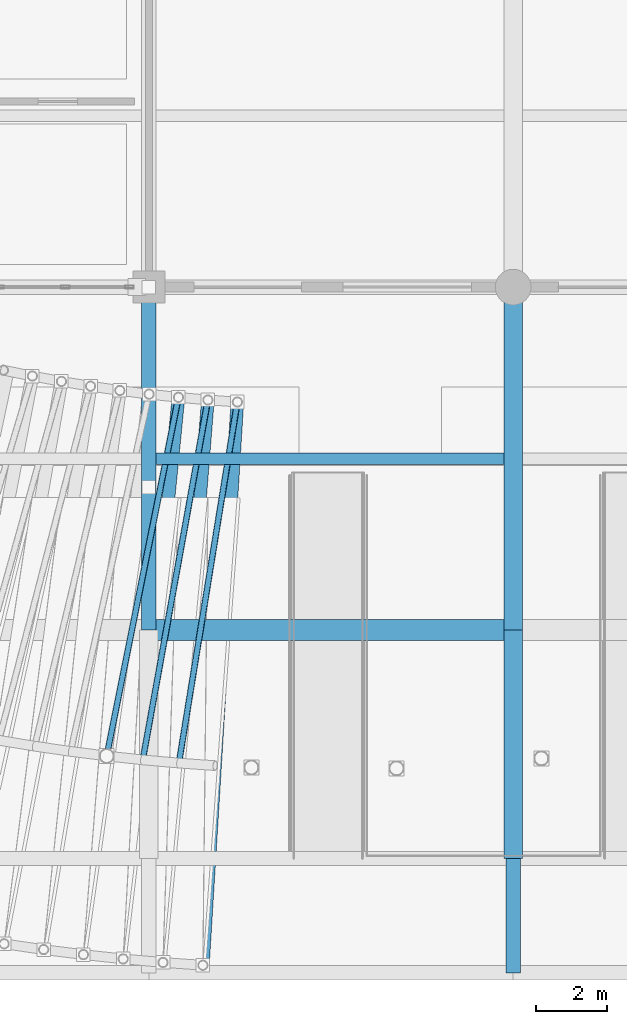
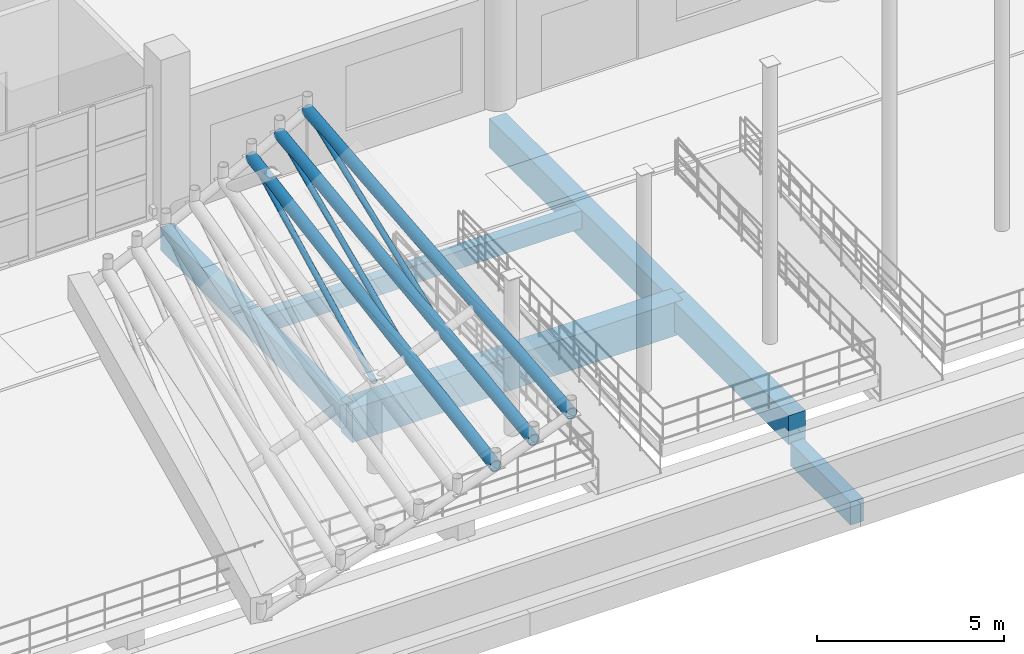
# One storey, part 49 of 124: 6 beams, 6 members.
"""IFC4 building model written with IfcOpenShell, lengths in metres."""

from ifc_helpers import new_model, si_unit, direction, frame, origin, origin_2d, place, context, subcontext, project, spatial, rectangle, hollow_circle, extrude, material, material_profile, profile_set, type_object, element, save


model = new_model("IFC4")

# Units and contexts
model_context = context("Model", 3, precision=1e-05, world=origin(), true_north=direction((0.0, 1.0)))
body_context = subcontext(model_context, "Body", "Model", "MODEL_VIEW")
ifc_project = project(units=[si_unit("LENGTHUNIT", "METRE"), si_unit("AREAUNIT", "SQUARE_METRE"), si_unit("VOLUMEUNIT", "CUBIC_METRE"), si_unit("PLANEANGLEUNIT", "RADIAN"), si_unit("MASSUNIT", "GRAM", prefix="KILO")], contexts=[model_context])

# Site, building, storey
site_placement = place(None, origin())
site = spatial("IfcSite", under=ifc_project, at=site_placement, CompositionType="ELEMENT")
building_placement = place(site_placement, origin())
building = spatial("IfcBuilding", under=site, at=building_placement, Name="Brelvane Convention Centre", CompositionType="ELEMENT")
storey_placement = place(building_placement, origin())
storey = spatial("IfcBuildingStorey", under=building, at=storey_placement, Name="L00", CompositionType="ELEMENT", Elevation=0.0)

# Beams
ifc_material_1 = material(Name="Concrete M50", Category="concrete")
ifc_material_profile_1 = material_profile(ifc_material_1, rectangle(XDim=0.60009765625, YDim=1.10009765625, at=origin_2d()), Name="RC 600x1100")
ifc_profile_set_1 = profile_set([ifc_material_profile_1], Name="Concrete M50")
beam_type_1 = type_object("IfcBeamType", Name="RC Beam B-RC2 (RC 600x1100)", PredefinedType="BEAM", material=ifc_profile_set_1)
beam_1_placement = place(storey_placement, frame((142.800048828125, 9.60009765625, -0.949951171875), z_axis=(1.0, 0.0, 0.0), x_axis=(0.0, 1.0, 0.0)))
element("IfcBeam", 1, at=beam_1_placement, inside=storey, type_object=beam_type_1, Name="L00 Beam 15-16/B", PredefinedType="BEAM", context=body_context, shape_type="SweptSolid", body=[
    extrude(rectangle(XDim=0.60009765625, YDim=1.10009765625, at=origin_2d()), origin(), (0.0, 0.0, 1.0), 10.199951171875),
])
ifc_material_2 = material(Name="Concrete M50", Category="concrete")
ifc_material_profile_2 = material_profile(ifc_material_2, rectangle(XDim=0.52001953125, YDim=0.949951171875, at=origin_2d()), Name="RC 520x950")
ifc_profile_set_2 = profile_set([ifc_material_profile_2], Name="Concrete M50")
beam_type_2 = type_object("IfcBeamType", Name="RC Beam B-RC9 (RC 520x950)", PredefinedType="BEAM", material=ifc_profile_set_2)
beam_2_placement = place(storey_placement, frame((153.0, 3.199951171875, -0.875), z_axis=(0.0, 1.0, 0.0), x_axis=(-1.0, 0.0, 0.0)))
element("IfcBeam", 2, at=beam_2_placement, inside=storey, type_object=beam_type_2, Name="L00 Plaza Step Tie Girder 6", PredefinedType="BEAM", context=body_context, shape_type="SweptSolid", body=[
    extrude(rectangle(XDim=0.52001953125, YDim=0.949951171875, at=origin_2d()), origin(), (0.0, 0.0, 1.0), 6.400146484375),
])
beam_3_placement = place(storey_placement, frame((153.0, 9.60009765625, -0.875), z_axis=(0.0, 1.0, 0.0), x_axis=(-1.0, 0.0, 0.0)))
element("IfcBeam", 3, at=beam_3_placement, inside=storey, type_object=beam_type_2, Name="L00 Girder 16/B-C", PredefinedType="BEAM", context=body_context, shape_type="SweptSolid", body=[
    extrude(rectangle(XDim=0.52001953125, YDim=0.949951171875, at=origin_2d()), origin(), (0.0, 0.0, 1.0), 9.599853515625),
])
ifc_material_3 = material(Name="Concrete M40", Category="concrete")
ifc_material_profile_3 = material_profile(ifc_material_3, rectangle(XDim=0.320068359375, YDim=0.580078125, at=origin_2d()), Name="RC 320x580")
ifc_profile_set_3 = profile_set([ifc_material_profile_3], Name="Concrete M40")
beam_type_3 = type_object("IfcBeamType", Name="RC Joist J-RC3 (RC 320x580)", PredefinedType="JOIST", material=ifc_profile_set_3)
beam_4_placement = place(storey_placement, frame((143.0, 14.39990234375, -0.68994140625), z_axis=(1.0, 0.0, 0.0), x_axis=(0.0, 1.0, 0.0)))
element("IfcBeam", 4, at=beam_4_placement, inside=storey, type_object=beam_type_3, Name="L00 Secondary Joist 15-16/BC", PredefinedType="JOIST", context=body_context, shape_type="SweptSolid", body=[
    extrude(rectangle(XDim=0.320068359375, YDim=0.580078125, at=origin_2d()), origin(), (0.0, 0.0, 1.0), 9.739990234375),
])
ifc_material_4 = material(Name="Concrete M40", Category="concrete")
ifc_material_profile_4 = material_profile(ifc_material_4, rectangle(XDim=0.39990234375, YDim=0.75, at=origin_2d()), Name="RC 400x750")
ifc_profile_set_4 = profile_set([ifc_material_profile_4], Name="Concrete M40")
beam_type_4 = type_object("IfcBeamType", Name="RC Spandrel SP-RC1 (RC 400x750)", PredefinedType="SPANDREL", material=ifc_profile_set_4)
beam_5_placement = place(storey_placement, frame((153.0, 0.0, -1.675048828125), z_axis=(0.0, 1.0, 0.0), x_axis=(-1.0, 0.0, 0.0)))
element("IfcBeam", 5, at=beam_5_placement, inside=storey, type_object=beam_type_4, Name="L00 Lower Promenade Rib 6", PredefinedType="SPANDREL", context=body_context, shape_type="SweptSolid", body=[
    extrude(rectangle(XDim=0.39990234375, YDim=0.75, at=origin_2d()), origin(), (0.0, 0.0, 1.0), 3.199951171875),
])
beam_6_placement = place(storey_placement, frame((142.800048828125, 9.60009765625, -0.77490234375), z_axis=(0.0, 1.0, 0.0), x_axis=(-1.0, 0.0, 0.0)))
element("IfcBeam", 6, at=beam_6_placement, inside=storey, type_object=beam_type_4, Name="L00 Girder 15/B-C", PredefinedType="SPANDREL", context=body_context, shape_type="SweptSolid", body=[
    extrude(rectangle(XDim=0.39990234375, YDim=0.75, at=origin_2d()), origin(), (0.0, 0.0, 1.0), 9.599853515625),
])

# Members
ifc_material_5 = material(Name="Steel E350 (350 MPa)", Category="steel")
ifc_material_profile_5 = material_profile(ifc_material_5, hollow_circle(Radius=0.084228515625, WallThickness=0.008056640625, at=origin_2d()), Name="CHS 168.3x8.0")
ifc_profile_set_5 = profile_set([ifc_material_profile_5], Name="Steel E350 (350 MPa)")
member_type_1 = type_object("IfcMemberType", Name="Steel Brace SF-DG3 (CHS 168.3x8.0)", PredefinedType="BRACE", material=ifc_profile_set_5)
member_1_placement = place(storey_placement, frame((145.277099609375, 15.983154296875, 4.439208984375), z_axis=(-0.159569713975, -0.98589416835, -0.050499457377), x_axis=(0.987153689166, -0.159773570923, 0.0)))
element("IfcMember", 7, at=member_1_placement, inside=storey, type_object=member_type_1, Name="Boulevard Canopy Space-Frame Brace 24", PredefinedType="BRACE", context=body_context, shape_type="SweptSolid", body=[
    extrude(hollow_circle(Radius=0.084228515625, WallThickness=0.008056640625, at=origin_2d()), origin(), (0.0, 0.0, 1.0), 10.25390625),
])
for number, where, z_axis, x_axis, name in (
    (8, (144.4521484375, 16.041259765625, 3.92138671875), (-0.17782545586, -0.982742179883, -0.050950123918), (0.984020226342, -0.178056716102, 0.0), "Boulevard Canopy Space-Frame Brace 25"),
    (9, (143.62841796875, 16.11474609375, 3.39892578125), (-0.196012786115, -0.979254452288, -0.05137806297), (0.980549488348, -0.196272007429, 0.0), "Boulevard Canopy Space-Frame Brace 26"),
):
    element("IfcMember", number, at=place(storey_placement, frame(where, z_axis=z_axis, x_axis=x_axis)), inside=storey, type_object=member_type_1, Name=name, PredefinedType="BRACE", context=body_context, shape_type="SweptSolid", body=[
        extrude(hollow_circle(Radius=0.084228515625, WallThickness=0.008056640625, at=origin_2d()), origin(), (0.0, 0.0, 1.0), 10.25439453125),
    ])
ifc_material_6 = material(Name="Steel E450 (450 MPa)", Category="steel")
ifc_material_profile_6 = material_profile(ifc_material_6, hollow_circle(Radius=0.177734375, WallThickness=0.01611328125, at=origin_2d()), Name="CHS 355.6x16.0")
ifc_profile_set_6 = profile_set([ifc_material_profile_6], Name="Steel E450 (450 MPa)")
member_type_2 = type_object("IfcMemberType", Name="Steel Rafter CN-RF1 (CHS 355.6x16.0)", PredefinedType="RAFTER", material=ifc_profile_set_6)
member_2_placement = place(storey_placement, frame((145.277099609375, 15.983154296875, 4.439208984375), z_axis=(-0.06103529095, -0.998135608652, 0.0), x_axis=(0.998135608652, -0.06103529095, 0.0)))
element("IfcMember", 10, at=member_2_placement, inside=storey, type_object=member_type_2, Name="Boulevard Canopy Radial Rafter R-24", PredefinedType="RAFTER", context=body_context, shape_type="SweptSolid", body=[
    extrude(hollow_circle(Radius=0.177734375, WallThickness=0.01611328125, at=origin_2d()), origin(), (0.0, 0.0, 1.0), 15.800048828125),
])
member_3_placement = place(storey_placement, frame((144.4521484375, 16.041259765625, 3.92138671875), z_axis=(-0.079547463183, -0.996831079522, 0.0), x_axis=(0.996831079522, -0.079547463183, 0.0)))
element("IfcMember", 11, at=member_3_placement, inside=storey, type_object=member_type_2, Name="Boulevard Canopy Radial Rafter R-25", PredefinedType="RAFTER", context=body_context, shape_type="SweptSolid", body=[
    extrude(hollow_circle(Radius=0.177734375, WallThickness=0.01611328125, at=origin_2d()), origin(), (0.0, 0.0, 1.0), 15.7998046875),
])
member_4_placement = place(storey_placement, frame((143.62841796875, 16.11474609375, 3.39892578125), z_axis=(-0.098011954982, -0.995185237371, 0.0), x_axis=(0.995185237371, -0.098011954982, 0.0)))
element("IfcMember", 12, at=member_4_placement, inside=storey, type_object=member_type_2, Name="Boulevard Canopy Radial Rafter R-26", PredefinedType="RAFTER", context=body_context, shape_type="SweptSolid", body=[
    extrude(hollow_circle(Radius=0.177734375, WallThickness=0.01611328125, at=origin_2d()), origin(), (0.0, 0.0, 1.0), 15.800048828125),
])

save(model, "model.ifc")
